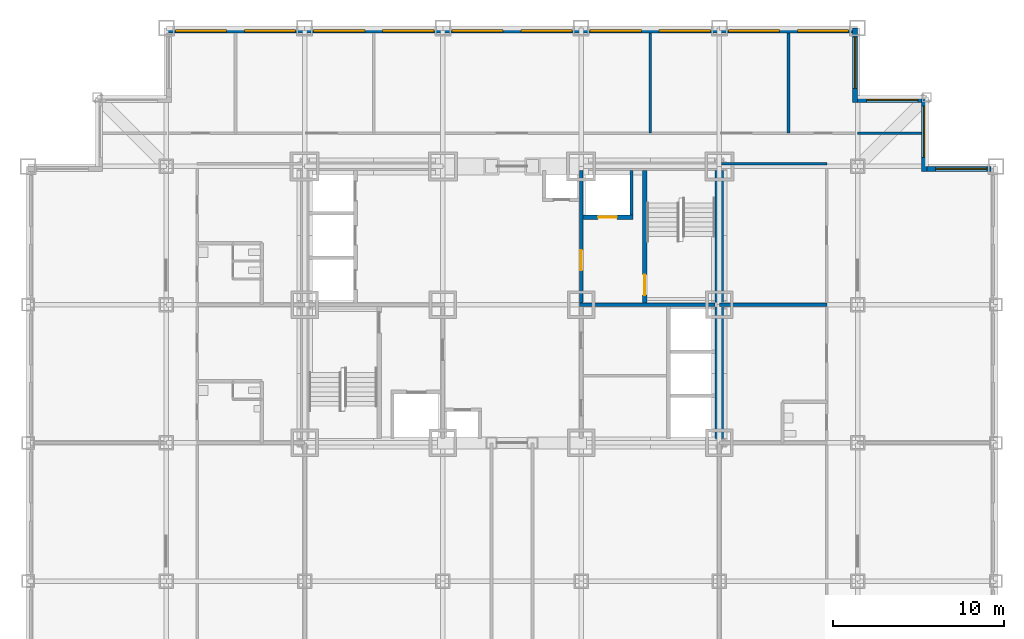
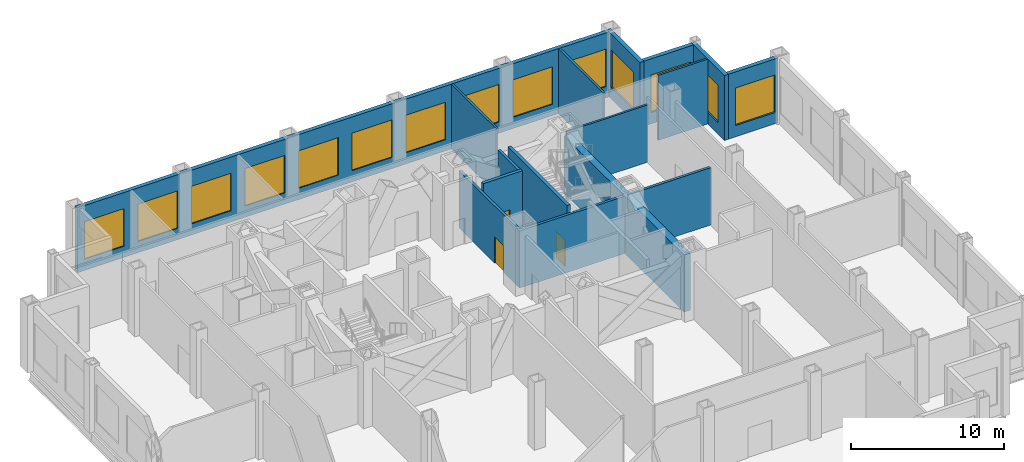
# One storey, part 7 of 10: 16 walls, 14 windows, 3 doors, 17 openings.
"""IFC4 building model written with IfcOpenShell, lengths in metres."""

from ifc_helpers import new_model, si_unit, direction, frame, frame_2d, origin, place, context, subcontext, project, spatial, rectangle, extrude, material, layer, layer_set, type_object, element, fill, save


model = new_model("IFC4")

# Units and contexts
model_context = context("Model", 3, precision=1e-05, world=origin(), true_north=direction((0.0, 1.0)))
body_context = subcontext(model_context, "Body", "Model", "MODEL_VIEW")
ifc_project = project(units=[si_unit("LENGTHUNIT", "METRE"), si_unit("AREAUNIT", "SQUARE_METRE"), si_unit("VOLUMEUNIT", "CUBIC_METRE"), si_unit("PLANEANGLEUNIT", "RADIAN"), si_unit("MASSUNIT", "GRAM", prefix="KILO")], contexts=[model_context])

# Site, building, storey
site_placement = place(None, origin())
site = spatial("IfcSite", under=ifc_project, at=site_placement, CompositionType="ELEMENT")
building_placement = place(site_placement, origin())
building = spatial("IfcBuilding", under=site, at=building_placement, Name="Kopane Lantern Tower", CompositionType="ELEMENT")
storey_placement = place(building_placement, frame((0.0, 0.0, 27.60009765625)))
storey = spatial("IfcBuildingStorey", under=building, at=storey_placement, Name="L05", CompositionType="ELEMENT", Elevation=27.60009765625)

# Wall
ifc_material_1 = material(Name="Gypsum shaft wall EI 120", Category="gypsum")
ifc_layer_1 = layer(ifc_material_1, 0.5)
ifc_layer_set_1 = layer_set([ifc_layer_1], Name="CORE PERIMETER WALL 500 EI 120")
wall_type_1 = type_object("IfcWallType", Name="CORE PERIMETER WALL 500 EI 120", PredefinedType="SOLIDWALL", material=ifc_layer_set_1)
wall_1_placement = place(storey_placement, frame((40.5, 24.550048828125, 0.0), z_axis=(0.0, 0.0, 1.0), x_axis=(0.0, 1.0, 0.0)))
element("IfcWall", 1, at=wall_1_placement, inside=storey, type_object=wall_type_1, Name="Core shaft wall L05 PE", PredefinedType="SOLIDWALL", context=body_context, shape_type="SweptSolid", body=[
    extrude(rectangle(XDim=15.699951171875, YDim=0.5, at=frame_2d((7.85009765625, 0.0))), origin(), (0.0, 0.0, 1.0), 4.57763671875),
])

# Wall, opening, door
ifc_material_2 = material(Name="Gypsum shaft wall EI 120", Category="gypsum")
ifc_layer_2 = layer(ifc_material_2, 0.25)
ifc_layer_set_2 = layer_set([ifc_layer_2], Name="CORE SHAFT WALL 250 EI 120")
wall_type_2 = type_object("IfcWallType", Name="CORE SHAFT WALL 250 EI 120", PredefinedType="SOLIDWALL", material=ifc_layer_set_2)
wall_2_placement = place(storey_placement, frame((36.125, 32.5, 0.0), z_axis=(0.0, 0.0, 1.0), x_axis=(0.0, 1.0, 0.0)))
wall_2 = element("IfcWall", 2, at=wall_2_placement, inside=storey, type_object=wall_type_2, Name="Core shaft wall L05 XST2", PredefinedType="SOLIDWALL", context=body_context, shape_type="SweptSolid", body=[
    extrude(rectangle(XDim=7.75, YDim=0.25, at=frame_2d((3.875, 0.0))), origin(), (0.0, 0.0, 1.0), 5.18994140625),
])
opening_1_placement = place(wall_2_placement, frame((0.449951171875, 0.0, 0.0)))
opening_1 = element("IfcOpeningElement", 3, at=opening_1_placement, cuts=wall_2, Name="Opening 05.SD2", PredefinedType="OPENING", context=body_context, shape_type="SweptSolid", body=[
    extrude(rectangle(XDim=1.199951171875, YDim=2.10009765625, at=frame_2d((0.60009765625, 1.050048828125))), frame((0.0, 0.135009765625, 0.0), z_axis=(0.0, -1.0, 0.0), x_axis=(1.0, 0.0, 0.0)), (0.0, 0.0, 1.0), 0.27001953125),
])
ifc_material_3 = material(Name="Steel door set", Category="steel")
door_type_1 = type_object("IfcDoorType", Name="STAIR DOOR 1200x2100 FD60S", OperationType="SINGLE_SWING_LEFT", PredefinedType="DOOR", material=ifc_material_3)
door_1_placement = place(opening_1_placement, origin())
door_1 = element("IfcDoor", 4, at=door_1_placement, inside=storey, type_object=door_type_1, Name="Stair door ST2 L05", OperationType="SINGLE_SWING_RIGHT", OverallHeight=2.10009765625, OverallWidth=1.199951171875, PredefinedType="DOOR", context=body_context, shape_type="SweptSolid", body=[
    extrude(rectangle(XDim=1.199951171875, YDim=2.10009765625, at=frame_2d((0.60009765625, 1.050048828125))), frame((0.0, 0.02490234375, 0.0), z_axis=(0.0, -1.0, 0.0), x_axis=(1.0, 0.0, 0.0)), (0.0, 0.0, 1.0), 0.050048828125),
])
fill(opening_1, door_1)

wall_3_placement = place(storey_placement, frame((32.5, 37.52490234375, 0.0), z_axis=(0.0, 0.0, 1.0), x_axis=(1.0, 0.0, 0.0)))
wall_3 = element("IfcWall", 5, at=wall_3_placement, inside=storey, type_object=wall_type_2, Name="Core shaft wall L05 YLF2", PredefinedType="SOLIDWALL", context=body_context, shape_type="SweptSolid", body=[
    extrude(rectangle(XDim=2.949951171875, YDim=0.25, at=frame_2d((1.47509765625, 0.0))), origin(), (0.0, 0.0, 1.0), 5.18994140625),
])
opening_2_placement = place(wall_3_placement, frame((0.89990234375, 0.0, 0.0)))
opening_2 = element("IfcOpeningElement", 6, at=opening_2_placement, cuts=wall_3, Name="Opening 05.LD-LF2", PredefinedType="OPENING", context=body_context, shape_type="SweptSolid", body=[
    extrude(rectangle(XDim=1.10009765625, YDim=2.39990234375, at=frame_2d((0.550048828125, 1.199951171875))), frame((0.0, 0.135009765625, 0.0), z_axis=(0.0, -1.0, 0.0), x_axis=(1.0, 0.0, 0.0)), (0.0, 0.0, 1.0), 0.27001953125),
])
ifc_material_4 = material(Name="Steel door set", Category="steel")
door_type_2 = type_object("IfcDoorType", Name="LIFT LANDING DOOR 1100x2400 FD60", OperationType="DOUBLE_DOOR_SLIDING", PredefinedType="DOOR", material=ifc_material_4)
door_2_placement = place(opening_2_placement, origin())
door_2 = element("IfcDoor", 7, at=door_2_placement, inside=storey, type_object=door_type_2, Name="Landing door LF2 L05", OperationType="DOUBLE_DOOR_SLIDING", OverallHeight=2.39990234375, OverallWidth=1.10009765625, PredefinedType="DOOR", context=body_context, shape_type="SweptSolid", body=[
    extrude(rectangle(XDim=1.10009765625, YDim=2.39990234375, at=frame_2d((0.550048828125, 1.199951171875))), frame((0.0, 0.02490234375, 0.0), z_axis=(0.0, -1.0, 0.0), x_axis=(1.0, 0.0, 0.0)), (0.0, 0.0, 1.0), 0.050048828125),
])
fill(opening_2, door_2)

# Walls
ifc_material_5 = material(Name="Gypsum board on steel studs", Category="steel")
ifc_layer_3 = layer(ifc_material_5, 0.14990234375)
ifc_layer_set_3 = layer_set([ifc_layer_3], Name="CORRIDOR WALL 150 EI 60")
wall_type_3 = type_object("IfcWallType", Name="CORRIDOR WALL 150 EI 60", PredefinedType="PARTITIONING", material=ifc_layer_set_3)
wall_4_placement = place(storey_placement, frame((46.800048828125, 40.64990234375, 0.0), z_axis=(0.0, 0.0, 1.0), x_axis=(-1.0, 0.0, 0.0)))
element("IfcWall", 8, at=wall_4_placement, inside=storey, type_object=wall_type_3, Name="Corridor Wall 150 Ei 60 L05", PredefinedType="PARTITIONING", context=body_context, shape_type="SweptSolid", body=[
    extrude(rectangle(XDim=6.16796875, YDim=0.14990234375, at=frame_2d((3.083984375, 0.0))), origin(), (0.0, 0.0, 1.0), 4.57763671875),
])
ifc_material_6 = material(Name="Gypsum board on steel studs", Category="steel")
ifc_layer_4 = layer(ifc_material_6, 0.14990234375)
ifc_layer_set_4 = layer_set([ifc_layer_4], Name="DEMISING WALL 150 EI 60")
wall_type_4 = type_object("IfcWallType", Name="DEMISING WALL 150 EI 60", PredefinedType="PARTITIONING", material=ifc_layer_set_4)
wall_5_placement = place(storey_placement, frame((36.449951171875, 42.449951171875, 0.0), z_axis=(0.0, 0.0, 1.0), x_axis=(0.0, 1.0, 0.0)))
element("IfcWall", 9, at=wall_5_placement, inside=storey, type_object=wall_type_4, Name="Demising Wall 150 Ei 60 L05", PredefinedType="PARTITIONING", context=body_context, shape_type="SweptSolid", body=[
    extrude(rectangle(XDim=5.85009765625, YDim=0.14990234375, at=frame_2d((2.925048828125, 0.0))), origin(), (0.0, 0.0, 1.0), 5.18994140625),
])
wall_6_placement = place(storey_placement, frame((48.60009765625, 42.449951171875, 0.0), z_axis=(0.0, 0.0, 1.0), x_axis=(1.0, 0.0, 0.0)))
element("IfcWall", 10, at=wall_6_placement, inside=storey, type_object=wall_type_4, Name="Demising Wall 150 Ei 60 L05", PredefinedType="PARTITIONING", context=body_context, shape_type="SweptSolid", body=[
    extrude(rectangle(XDim=3.75, YDim=0.14990234375, at=frame_2d((1.875, 0.0))), origin(), (0.0, 0.0, 1.0), 5.18994140625),
])
wall_7_placement = place(storey_placement, frame((44.550048828125, 42.449951171875, 0.0), z_axis=(0.0, 0.0, 1.0), x_axis=(0.0, 1.0, 0.0)))
element("IfcWall", 11, at=wall_7_placement, inside=storey, type_object=wall_type_4, Name="Demising Wall 150 Ei 60 L05", PredefinedType="PARTITIONING", context=body_context, shape_type="SweptSolid", body=[
    extrude(rectangle(XDim=5.85009765625, YDim=0.14990234375, at=frame_2d((2.925048828125, 0.0))), origin(), (0.0, 0.0, 1.0), 5.18994140625),
])

# Wall, opening, window
ifc_material_7 = material(Name="Terracotta rainscreen on light steel framing", Category="masonry")
ifc_layer_5 = layer(ifc_material_7, 0.300048828125)
ifc_layer_set_5 = layer_set([ifc_layer_5], Name="EXTERNAL WALL EW1 300 TERRACOTTA")
wall_type_5 = type_object("IfcWallType", Name="EXTERNAL WALL EW1 300 TERRACOTTA", PredefinedType="SOLIDWALL", material=ifc_layer_set_5)
wall_8_placement = place(storey_placement, frame((56.39990234375, 40.35009765625, 0.0), z_axis=(0.0, 0.0, 1.0), x_axis=(-1.0, 0.0, 0.0)))
wall_8 = element("IfcWall", 12, at=wall_8_placement, inside=storey, type_object=wall_type_5, Name="External wall N L05", PredefinedType="SOLIDWALL", context=body_context, shape_type="SweptSolid", body=[
    extrude(rectangle(XDim=3.75, YDim=0.300048828125, at=frame_2d((1.875, 0.0))), origin(), (0.0, 0.0, 1.0), 5.18994140625),
])
opening_3_placement = place(wall_8_placement, frame((0.22509765625, 0.0, 0.89990234375)))
opening_3 = element("IfcOpeningElement", 13, at=opening_3_placement, cuts=wall_8, Name="Opening WR300300", PredefinedType="OPENING", context=body_context, shape_type="SweptSolid", body=[
    extrude(rectangle(XDim=3.0, YDim=3.0, at=frame_2d((1.5, 1.5))), frame((0.0, 0.159912109375, 0.0), z_axis=(0.0, -1.0, 0.0), x_axis=(1.0, 0.0, 0.0)), (0.0, 0.0, 1.0), 0.320068359375),
])
ifc_material_8 = material(Name="Aluminium and clear glass", Category="aluminium")
window_type_1 = type_object("IfcWindowType", Name="RIBBON WINDOW WR300300 3000x3000", PartitioningType="SINGLE_PANEL", PredefinedType="WINDOW", material=ifc_material_8)
window_1_placement = place(opening_3_placement, origin())
window_1 = element("IfcWindow", 14, at=window_1_placement, inside=storey, type_object=window_type_1, Name="Window N L05", OverallHeight=3.0, OverallWidth=3.0, PartitioningType="SINGLE_PANEL", PredefinedType="WINDOW", context=body_context, shape_type="SweptSolid", body=[
    extrude(rectangle(XDim=3.0, YDim=3.0, at=frame_2d((1.5, 1.5))), frame((0.0, 0.030029296875, 0.0), z_axis=(0.0, -1.0, 0.0), x_axis=(1.0, 0.0, 0.0)), (0.0, 0.0, 1.0), 0.06005859375),
])
fill(opening_3, window_1)

wall_9_placement = place(storey_placement, frame((52.5, 40.199951171875, 0.0), z_axis=(0.0, 0.0, 1.0), x_axis=(0.0, 1.0, 0.0)))
wall_9 = element("IfcWall", 15, at=wall_9_placement, inside=storey, type_object=wall_type_5, Name="External wall E L05", PredefinedType="SOLIDWALL", context=body_context, shape_type="SweptSolid", body=[
    extrude(rectangle(XDim=4.35009765625, YDim=0.300048828125, at=frame_2d((2.175048828125, 0.0))), origin(), (0.0, 0.0, 1.0), 5.18994140625),
])
opening_4_placement = place(wall_9_placement, frame((0.824951171875, 0.0, 0.89990234375)))
opening_4 = element("IfcOpeningElement", 16, at=opening_4_placement, cuts=wall_9, Name="Opening WR300300", PredefinedType="OPENING", context=body_context, shape_type="SweptSolid", body=[
    extrude(rectangle(XDim=3.0, YDim=3.0, at=frame_2d((1.5, 1.5))), frame((0.0, 0.159912109375, 0.0), z_axis=(0.0, -1.0, 0.0), x_axis=(1.0, 0.0, 0.0)), (0.0, 0.0, 1.0), 0.320068359375),
])
window_2_placement = place(opening_4_placement, origin())
window_2 = element("IfcWindow", 17, at=window_2_placement, inside=storey, type_object=window_type_1, Name="Window E L05", OverallHeight=3.0, OverallWidth=3.0, PartitioningType="SINGLE_PANEL", PredefinedType="WINDOW", context=body_context, shape_type="SweptSolid", body=[
    extrude(rectangle(XDim=3.0, YDim=3.0, at=frame_2d((1.5, 1.5))), frame((0.0, 0.030029296875, 0.0), z_axis=(0.0, -1.0, 0.0), x_axis=(1.0, 0.0, 0.0)), (0.0, 0.0, 1.0), 0.06005859375),
])
fill(opening_4, window_2)

wall_10_placement = place(storey_placement, frame((52.35009765625, 44.39990234375, 0.0), z_axis=(0.0, 0.0, 1.0), x_axis=(-1.0, 0.0, 0.0)))
wall_10 = element("IfcWall", 18, at=wall_10_placement, inside=storey, type_object=wall_type_5, Name="External wall N L05", PredefinedType="SOLIDWALL", context=body_context, shape_type="SweptSolid", body=[
    extrude(rectangle(XDim=3.75, YDim=0.300048828125, at=frame_2d((1.875, 0.0))), origin(), (0.0, 0.0, 1.0), 5.18994140625),
])
opening_5_placement = place(wall_10_placement, frame((0.22509765625, 0.0, 0.89990234375)))
opening_5 = element("IfcOpeningElement", 19, at=opening_5_placement, cuts=wall_10, Name="Opening WR300300", PredefinedType="OPENING", context=body_context, shape_type="SweptSolid", body=[
    extrude(rectangle(XDim=3.0, YDim=3.0, at=frame_2d((1.5, 1.5))), frame((0.0, 0.159912109375, 0.0), z_axis=(0.0, -1.0, 0.0), x_axis=(1.0, 0.0, 0.0)), (0.0, 0.0, 1.0), 0.320068359375),
])
window_3_placement = place(opening_5_placement, origin())
window_3 = element("IfcWindow", 20, at=window_3_placement, inside=storey, type_object=window_type_1, Name="Window N L05", OverallHeight=3.0, OverallWidth=3.0, PartitioningType="SINGLE_PANEL", PredefinedType="WINDOW", context=body_context, shape_type="SweptSolid", body=[
    extrude(rectangle(XDim=3.0, YDim=3.0, at=frame_2d((1.5, 1.5))), frame((0.0, 0.030029296875, 0.0), z_axis=(0.0, -1.0, 0.0), x_axis=(1.0, 0.0, 0.0)), (0.0, 0.0, 1.0), 0.06005859375),
])
fill(opening_5, window_3)

wall_11_placement = place(storey_placement, frame((48.449951171875, 44.25, 0.0), z_axis=(0.0, 0.0, 1.0), x_axis=(0.0, 1.0, 0.0)))
wall_11 = element("IfcWall", 21, at=wall_11_placement, inside=storey, type_object=wall_type_5, Name="External wall E L05", PredefinedType="SOLIDWALL", context=body_context, shape_type="SweptSolid", body=[
    extrude(rectangle(XDim=4.35009765625, YDim=0.300048828125, at=frame_2d((2.175048828125, 0.0))), origin(), (0.0, 0.0, 1.0), 5.18994140625),
])
opening_6_placement = place(wall_11_placement, frame((0.824951171875, 0.0, 0.89990234375)))
opening_6 = element("IfcOpeningElement", 22, at=opening_6_placement, cuts=wall_11, Name="Opening WR300300", PredefinedType="OPENING", context=body_context, shape_type="SweptSolid", body=[
    extrude(rectangle(XDim=3.0, YDim=3.0, at=frame_2d((1.5, 1.5))), frame((0.0, 0.159912109375, 0.0), z_axis=(0.0, -1.0, 0.0), x_axis=(1.0, 0.0, 0.0)), (0.0, 0.0, 1.0), 0.320068359375),
])
window_4_placement = place(opening_6_placement, origin())
window_4 = element("IfcWindow", 23, at=window_4_placement, inside=storey, type_object=window_type_1, Name="Window E L05", OverallHeight=3.0, OverallWidth=3.0, PartitioningType="SINGLE_PANEL", PredefinedType="WINDOW", context=body_context, shape_type="SweptSolid", body=[
    extrude(rectangle(XDim=3.0, YDim=3.0, at=frame_2d((1.5, 1.5))), frame((0.0, 0.030029296875, 0.0), z_axis=(0.0, -1.0, 0.0), x_axis=(1.0, 0.0, 0.0)), (0.0, 0.0, 1.0), 0.06005859375),
])
fill(opening_6, window_4)

# Wall, openings, windows
wall_12_placement = place(storey_placement, frame((48.300048828125, 48.449951171875, 0.0), z_axis=(0.0, 0.0, 1.0), x_axis=(-1.0, 0.0, 0.0)))
wall_12 = element("IfcWall", 24, at=wall_12_placement, inside=storey, type_object=wall_type_5, Name="External wall N L05", PredefinedType="SOLIDWALL", context=body_context, shape_type="SweptSolid", body=[
    extrude(rectangle(XDim=40.199951171875, YDim=0.300048828125, at=frame_2d((20.10009765625, 0.0))), origin(), (0.0, 0.0, 1.0), 5.18994140625),
])
opening_7_placement = place(wall_12_placement, frame((0.22509765625, 0.0, 0.89990234375)))
opening_7 = element("IfcOpeningElement", 25, at=opening_7_placement, cuts=wall_12, Name="Opening LV300300", PredefinedType="OPENING", context=body_context, shape_type="SweptSolid", body=[
    extrude(rectangle(XDim=3.0, YDim=3.0, at=frame_2d((1.5, 1.5))), frame((0.0, 0.159912109375, 0.0), z_axis=(0.0, -1.0, 0.0), x_axis=(1.0, 0.0, 0.0)), (0.0, 0.0, 1.0), 0.320068359375),
])
opening_8_placement = place(wall_12_placement, frame((4.27490234375, 0.0, 0.89990234375)))
opening_8 = element("IfcOpeningElement", 26, at=opening_8_placement, cuts=wall_12, Name="Opening LV300300", PredefinedType="OPENING", context=body_context, shape_type="SweptSolid", body=[
    extrude(rectangle(XDim=3.0, YDim=3.0, at=frame_2d((1.5, 1.5))), frame((0.0, 0.159912109375, 0.0), z_axis=(0.0, -1.0, 0.0), x_axis=(1.0, 0.0, 0.0)), (0.0, 0.0, 1.0), 0.320068359375),
])
opening_9_placement = place(wall_12_placement, frame((8.324951171875, 0.0, 0.89990234375)))
opening_9 = element("IfcOpeningElement", 27, at=opening_9_placement, cuts=wall_12, Name="Opening LV300300", PredefinedType="OPENING", context=body_context, shape_type="SweptSolid", body=[
    extrude(rectangle(XDim=3.0, YDim=3.0, at=frame_2d((1.5, 1.5))), frame((0.0, 0.159912109375, 0.0), z_axis=(0.0, -1.0, 0.0), x_axis=(1.0, 0.0, 0.0)), (0.0, 0.0, 1.0), 0.320068359375),
])
opening_10_placement = place(wall_12_placement, frame((12.375, 0.0, 0.89990234375)))
opening_10 = element("IfcOpeningElement", 28, at=opening_10_placement, cuts=wall_12, Name="Opening LV300300", PredefinedType="OPENING", context=body_context, shape_type="SweptSolid", body=[
    extrude(rectangle(XDim=3.0, YDim=3.0, at=frame_2d((1.5, 1.5))), frame((0.0, 0.159912109375, 0.0), z_axis=(0.0, -1.0, 0.0), x_axis=(1.0, 0.0, 0.0)), (0.0, 0.0, 1.0), 0.320068359375),
])
opening_11_placement = place(wall_12_placement, frame((16.425048828125, 0.0, 0.89990234375)))
opening_11 = element("IfcOpeningElement", 29, at=opening_11_placement, cuts=wall_12, Name="Opening LV300300", PredefinedType="OPENING", context=body_context, shape_type="SweptSolid", body=[
    extrude(rectangle(XDim=3.0, YDim=3.0, at=frame_2d((1.5, 1.5))), frame((0.0, 0.159912109375, 0.0), z_axis=(0.0, -1.0, 0.0), x_axis=(1.0, 0.0, 0.0)), (0.0, 0.0, 1.0), 0.320068359375),
])
opening_12_placement = place(wall_12_placement, frame((20.47509765625, 0.0, 0.89990234375)))
opening_12 = element("IfcOpeningElement", 30, at=opening_12_placement, cuts=wall_12, Name="Opening LV300300", PredefinedType="OPENING", context=body_context, shape_type="SweptSolid", body=[
    extrude(rectangle(XDim=3.0, YDim=3.0, at=frame_2d((1.5, 1.5))), frame((0.0, 0.159912109375, 0.0), z_axis=(0.0, -1.0, 0.0), x_axis=(1.0, 0.0, 0.0)), (0.0, 0.0, 1.0), 0.320068359375),
])
opening_13_placement = place(wall_12_placement, frame((24.52490234375, 0.0, 0.89990234375)))
opening_13 = element("IfcOpeningElement", 31, at=opening_13_placement, cuts=wall_12, Name="Opening LV300300", PredefinedType="OPENING", context=body_context, shape_type="SweptSolid", body=[
    extrude(rectangle(XDim=3.0, YDim=3.0, at=frame_2d((1.5, 1.5))), frame((0.0, 0.159912109375, 0.0), z_axis=(0.0, -1.0, 0.0), x_axis=(1.0, 0.0, 0.0)), (0.0, 0.0, 1.0), 0.320068359375),
])
opening_14_placement = place(wall_12_placement, frame((28.574951171875, 0.0, 0.89990234375)))
opening_14 = element("IfcOpeningElement", 32, at=opening_14_placement, cuts=wall_12, Name="Opening LV300300", PredefinedType="OPENING", context=body_context, shape_type="SweptSolid", body=[
    extrude(rectangle(XDim=3.0, YDim=3.0, at=frame_2d((1.5, 1.5))), frame((0.0, 0.159912109375, 0.0), z_axis=(0.0, -1.0, 0.0), x_axis=(1.0, 0.0, 0.0)), (0.0, 0.0, 1.0), 0.320068359375),
])
opening_15_placement = place(wall_12_placement, frame((32.625, 0.0, 0.89990234375)))
opening_15 = element("IfcOpeningElement", 33, at=opening_15_placement, cuts=wall_12, Name="Opening LV300300", PredefinedType="OPENING", context=body_context, shape_type="SweptSolid", body=[
    extrude(rectangle(XDim=3.0, YDim=3.0, at=frame_2d((1.5, 1.5))), frame((0.0, 0.159912109375, 0.0), z_axis=(0.0, -1.0, 0.0), x_axis=(1.0, 0.0, 0.0)), (0.0, 0.0, 1.0), 0.320068359375),
])
opening_16_placement = place(wall_12_placement, frame((36.675048828125, 0.0, 0.89990234375)))
opening_16 = element("IfcOpeningElement", 34, at=opening_16_placement, cuts=wall_12, Name="Opening LV300300", PredefinedType="OPENING", context=body_context, shape_type="SweptSolid", body=[
    extrude(rectangle(XDim=3.0, YDim=3.0, at=frame_2d((1.5, 1.5))), frame((0.0, 0.159912109375, 0.0), z_axis=(0.0, -1.0, 0.0), x_axis=(1.0, 0.0, 0.0)), (0.0, 0.0, 1.0), 0.320068359375),
])
ifc_material_9 = material(Name="Aluminium louvre blades", Category="aluminium")
window_type_2 = type_object("IfcWindowType", Name="PLANT LOUVRE LV300300 3000x3000x150", PartitioningType="SINGLE_PANEL", PredefinedType="USERDEFINED", material=ifc_material_9)
window_5_placement = place(opening_7_placement, origin())
window_5 = element("IfcWindow", 35, at=window_5_placement, inside=storey, type_object=window_type_2, Name="Louvre N L05", ObjectType="LOUVRE", OverallHeight=3.0, OverallWidth=3.0, PartitioningType="SINGLE_PANEL", PredefinedType="USERDEFINED", context=body_context, shape_type="SweptSolid", body=[
    extrude(rectangle(XDim=3.0, YDim=3.0, at=frame_2d((1.5, 1.5))), frame((0.0, 0.074951171875, 0.0), z_axis=(0.0, -1.0, 0.0), x_axis=(1.0, 0.0, 0.0)), (0.0, 0.0, 1.0), 0.14990234375),
])
fill(opening_7, window_5)
window_6_placement = place(opening_8_placement, origin())
window_6 = element("IfcWindow", 36, at=window_6_placement, inside=storey, type_object=window_type_2, Name="Louvre N L05", ObjectType="LOUVRE", OverallHeight=3.0, OverallWidth=3.0, PartitioningType="SINGLE_PANEL", PredefinedType="USERDEFINED", context=body_context, shape_type="SweptSolid", body=[
    extrude(rectangle(XDim=3.0, YDim=3.0, at=frame_2d((1.5, 1.5))), frame((0.0, 0.074951171875, 0.0), z_axis=(0.0, -1.0, 0.0), x_axis=(1.0, 0.0, 0.0)), (0.0, 0.0, 1.0), 0.14990234375),
])
fill(opening_8, window_6)
window_7_placement = place(opening_9_placement, origin())
window_7 = element("IfcWindow", 37, at=window_7_placement, inside=storey, type_object=window_type_2, Name="Louvre N L05", ObjectType="LOUVRE", OverallHeight=3.0, OverallWidth=3.0, PartitioningType="SINGLE_PANEL", PredefinedType="USERDEFINED", context=body_context, shape_type="SweptSolid", body=[
    extrude(rectangle(XDim=3.0, YDim=3.0, at=frame_2d((1.5, 1.5))), frame((0.0, 0.074951171875, 0.0), z_axis=(0.0, -1.0, 0.0), x_axis=(1.0, 0.0, 0.0)), (0.0, 0.0, 1.0), 0.14990234375),
])
fill(opening_9, window_7)
window_8_placement = place(opening_10_placement, origin())
window_8 = element("IfcWindow", 38, at=window_8_placement, inside=storey, type_object=window_type_2, Name="Louvre N L05", ObjectType="LOUVRE", OverallHeight=3.0, OverallWidth=3.0, PartitioningType="SINGLE_PANEL", PredefinedType="USERDEFINED", context=body_context, shape_type="SweptSolid", body=[
    extrude(rectangle(XDim=3.0, YDim=3.0, at=frame_2d((1.5, 1.5))), frame((0.0, 0.074951171875, 0.0), z_axis=(0.0, -1.0, 0.0), x_axis=(1.0, 0.0, 0.0)), (0.0, 0.0, 1.0), 0.14990234375),
])
fill(opening_10, window_8)
window_9_placement = place(opening_11_placement, origin())
window_9 = element("IfcWindow", 39, at=window_9_placement, inside=storey, type_object=window_type_2, Name="Louvre N L05", ObjectType="LOUVRE", OverallHeight=3.0, OverallWidth=3.0, PartitioningType="SINGLE_PANEL", PredefinedType="USERDEFINED", context=body_context, shape_type="SweptSolid", body=[
    extrude(rectangle(XDim=3.0, YDim=3.0, at=frame_2d((1.5, 1.5))), frame((0.0, 0.074951171875, 0.0), z_axis=(0.0, -1.0, 0.0), x_axis=(1.0, 0.0, 0.0)), (0.0, 0.0, 1.0), 0.14990234375),
])
fill(opening_11, window_9)
window_10_placement = place(opening_12_placement, origin())
window_10 = element("IfcWindow", 40, at=window_10_placement, inside=storey, type_object=window_type_2, Name="Louvre N L05", ObjectType="LOUVRE", OverallHeight=3.0, OverallWidth=3.0, PartitioningType="SINGLE_PANEL", PredefinedType="USERDEFINED", context=body_context, shape_type="SweptSolid", body=[
    extrude(rectangle(XDim=3.0, YDim=3.0, at=frame_2d((1.5, 1.5))), frame((0.0, 0.074951171875, 0.0), z_axis=(0.0, -1.0, 0.0), x_axis=(1.0, 0.0, 0.0)), (0.0, 0.0, 1.0), 0.14990234375),
])
fill(opening_12, window_10)
window_11_placement = place(opening_13_placement, origin())
window_11 = element("IfcWindow", 41, at=window_11_placement, inside=storey, type_object=window_type_2, Name="Louvre N L05", ObjectType="LOUVRE", OverallHeight=3.0, OverallWidth=3.0, PartitioningType="SINGLE_PANEL", PredefinedType="USERDEFINED", context=body_context, shape_type="SweptSolid", body=[
    extrude(rectangle(XDim=3.0, YDim=3.0, at=frame_2d((1.5, 1.5))), frame((0.0, 0.074951171875, 0.0), z_axis=(0.0, -1.0, 0.0), x_axis=(1.0, 0.0, 0.0)), (0.0, 0.0, 1.0), 0.14990234375),
])
fill(opening_13, window_11)
window_12_placement = place(opening_14_placement, origin())
window_12 = element("IfcWindow", 42, at=window_12_placement, inside=storey, type_object=window_type_2, Name="Louvre N L05", ObjectType="LOUVRE", OverallHeight=3.0, OverallWidth=3.0, PartitioningType="SINGLE_PANEL", PredefinedType="USERDEFINED", context=body_context, shape_type="SweptSolid", body=[
    extrude(rectangle(XDim=3.0, YDim=3.0, at=frame_2d((1.5, 1.5))), frame((0.0, 0.074951171875, 0.0), z_axis=(0.0, -1.0, 0.0), x_axis=(1.0, 0.0, 0.0)), (0.0, 0.0, 1.0), 0.14990234375),
])
fill(opening_14, window_12)
window_13_placement = place(opening_15_placement, origin())
window_13 = element("IfcWindow", 43, at=window_13_placement, inside=storey, type_object=window_type_2, Name="Louvre N L05", ObjectType="LOUVRE", OverallHeight=3.0, OverallWidth=3.0, PartitioningType="SINGLE_PANEL", PredefinedType="USERDEFINED", context=body_context, shape_type="SweptSolid", body=[
    extrude(rectangle(XDim=3.0, YDim=3.0, at=frame_2d((1.5, 1.5))), frame((0.0, 0.074951171875, 0.0), z_axis=(0.0, -1.0, 0.0), x_axis=(1.0, 0.0, 0.0)), (0.0, 0.0, 1.0), 0.14990234375),
])
fill(opening_15, window_13)
window_14_placement = place(opening_16_placement, origin())
window_14 = element("IfcWindow", 44, at=window_14_placement, inside=storey, type_object=window_type_2, Name="Louvre N L05", ObjectType="LOUVRE", OverallHeight=3.0, OverallWidth=3.0, PartitioningType="SINGLE_PANEL", PredefinedType="USERDEFINED", context=body_context, shape_type="SweptSolid", body=[
    extrude(rectangle(XDim=3.0, YDim=3.0, at=frame_2d((1.5, 1.5))), frame((0.0, 0.074951171875, 0.0), z_axis=(0.0, -1.0, 0.0), x_axis=(1.0, 0.0, 0.0)), (0.0, 0.0, 1.0), 0.14990234375),
])
fill(opening_16, window_14)

# Walls
ifc_material_10 = material(Name="Concrete masonry", Category="masonry")
ifc_layer_6 = layer(ifc_material_10, 0.199951171875)
ifc_layer_set_6 = layer_set([ifc_layer_6], Name="PLANT ROOM WALL 200 EI 120")
wall_type_6 = type_object("IfcWallType", Name="PLANT ROOM WALL 200 EI 120", PredefinedType="SOLIDWALL", material=ifc_layer_set_6)
wall_13_placement = place(storey_placement, frame((40.5, 32.39990234375, 0.0), z_axis=(0.0, 0.0, 1.0), x_axis=(1.0, 0.0, 0.0)))
element("IfcWall", 45, at=wall_13_placement, inside=storey, type_object=wall_type_6, Name="Plant Room Wall 200 Ei 120 L05", PredefinedType="SOLIDWALL", context=body_context, shape_type="SweptSolid", body=[
    extrude(rectangle(XDim=6.300048828125, YDim=0.199951171875, at=frame_2d((3.14990234375, 0.0))), origin(), (0.0, 0.0, 1.0), 4.57763671875),
])
ifc_material_11 = material(Name="Gypsum shaft wall EI 120", Category="gypsum")
ifc_layer_7 = layer(ifc_material_11, 0.199951171875)
ifc_layer_set_7 = layer_set([ifc_layer_7], Name="SHAFT WALL 200 EI 120")
wall_type_7 = type_object("IfcWallType", Name="SHAFT WALL 200 EI 120", PredefinedType="SOLIDWALL", material=ifc_layer_set_7)
wall_14_placement = place(storey_placement, frame((32.300048828125, 32.39990234375, 0.0), z_axis=(0.0, 0.0, 1.0), x_axis=(1.0, 0.0, 0.0)))
element("IfcWall", 46, at=wall_14_placement, inside=storey, type_object=wall_type_7, Name="Core shaft wall L05 Y324E", PredefinedType="SOLIDWALL", context=body_context, shape_type="SweptSolid", body=[
    extrude(rectangle(XDim=7.949951171875, YDim=0.199951171875, at=frame_2d((3.97509765625, 0.0))), origin(), (0.0, 0.0, 1.0), 4.57763671875),
])

# Wall, opening, door
wall_15_placement = place(storey_placement, frame((32.39990234375, 32.5, 0.0), z_axis=(0.0, 0.0, 1.0), x_axis=(0.0, 1.0, 0.0)))
wall_15 = element("IfcWall", 47, at=wall_15_placement, inside=storey, type_object=wall_type_7, Name="Core shaft wall L05 X324", PredefinedType="SOLIDWALL", context=body_context, shape_type="SweptSolid", body=[
    extrude(rectangle(XDim=7.75, YDim=0.199951171875, at=frame_2d((3.875, 0.0))), origin(), (0.0, 0.0, 1.0), 4.57763671875),
])
opening_17_placement = place(wall_15_placement, frame((1.89990234375, 0.0, 0.0)))
opening_17 = element("IfcOpeningElement", 48, at=opening_17_placement, cuts=wall_15, Name="Opening 05.FL2", PredefinedType="OPENING", context=body_context, shape_type="SweptSolid", body=[
    extrude(rectangle(XDim=1.199951171875, YDim=2.10009765625, at=frame_2d((0.60009765625, 1.050048828125))), frame((0.0, 0.10986328125, 0.0), z_axis=(0.0, -1.0, 0.0), x_axis=(1.0, 0.0, 0.0)), (0.0, 0.0, 1.0), 0.219970703125),
])
ifc_material_12 = material(Name="Steel door set", Category="steel")
door_type_3 = type_object("IfcDoorType", Name="FIREFIGHTING LOBBY DOOR 1200x2100 FD60S", OperationType="SINGLE_SWING_RIGHT", PredefinedType="DOOR", material=ifc_material_12)
door_3_placement = place(opening_17_placement, origin())
door_3 = element("IfcDoor", 49, at=door_3_placement, inside=storey, type_object=door_type_3, Name="Firefighting lobby door FL2 L05", OperationType="SINGLE_SWING_LEFT", OverallHeight=2.10009765625, OverallWidth=1.199951171875, PredefinedType="DOOR", context=body_context, shape_type="SweptSolid", body=[
    extrude(rectangle(XDim=1.199951171875, YDim=2.10009765625, at=frame_2d((0.60009765625, 1.050048828125))), frame((0.0, 0.02490234375, 0.0), z_axis=(0.0, -1.0, 0.0), x_axis=(1.0, 0.0, 0.0)), (0.0, 0.0, 1.0), 0.050048828125),
])
fill(opening_17, door_3)

# Wall
wall_16_placement = place(storey_placement, frame((35.35009765625, 37.64990234375, 0.0), z_axis=(0.0, 0.0, 1.0), x_axis=(0.0, 1.0, 0.0)))
element("IfcWall", 50, at=wall_16_placement, inside=storey, type_object=wall_type_7, Name="Core shaft wall L05 XLF2", PredefinedType="SOLIDWALL", context=body_context, shape_type="SweptSolid", body=[
    extrude(rectangle(XDim=2.60009765625, YDim=0.199951171875, at=frame_2d((1.300048828125, 0.0))), origin(), (0.0, 0.0, 1.0), 5.18994140625),
])

save(model, "model.ifc")
